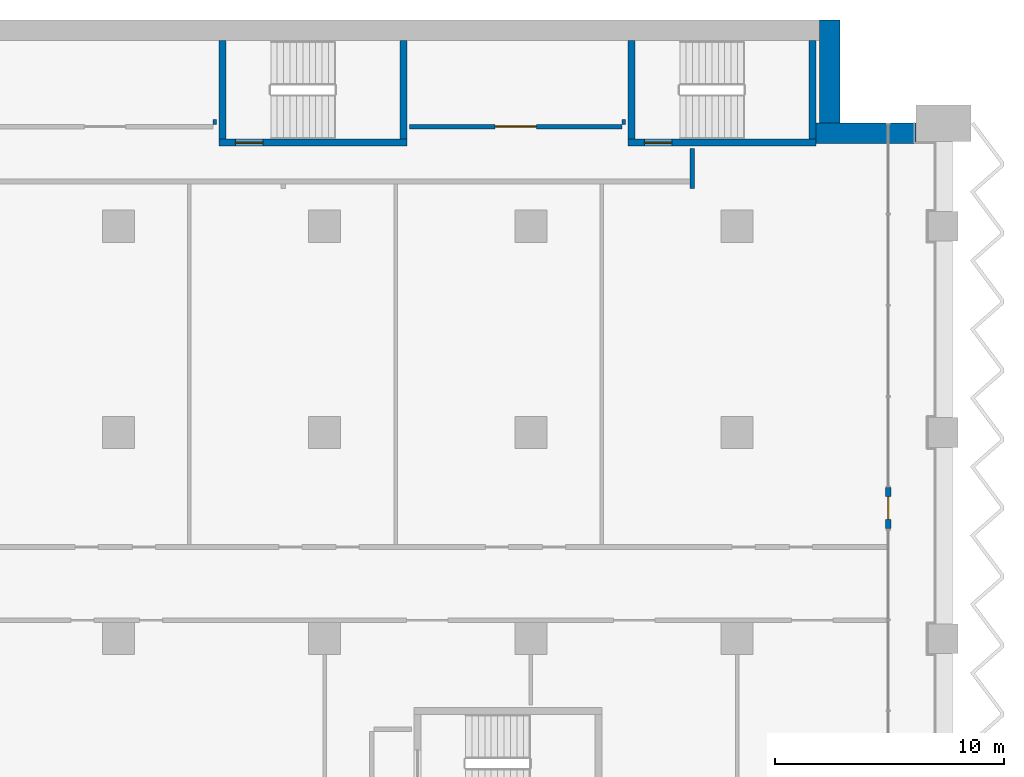
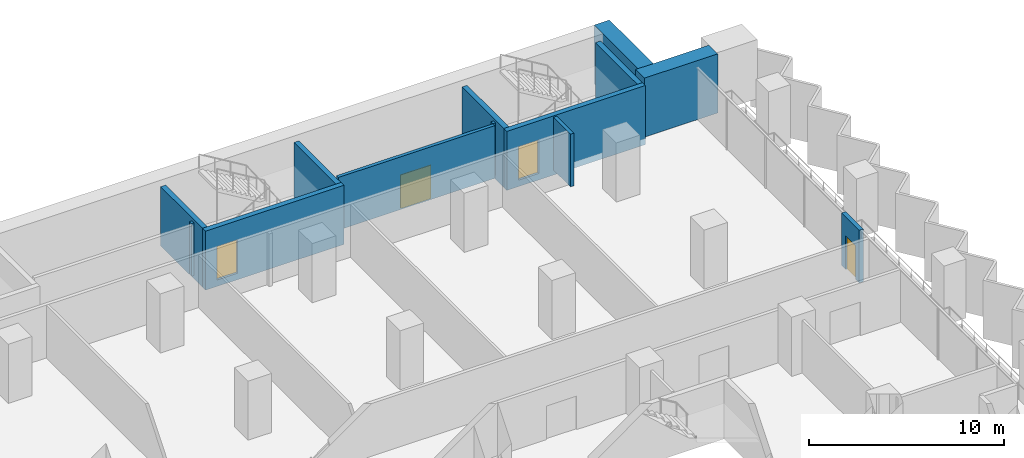
# One storey, part 19 of 29: 13 walls, 4 doors, 4 openings.
"""IFC4 building model written with IfcOpenShell, lengths in metres."""

from ifc_helpers import new_model, si_unit, direction, frame, frame_2d, origin, place, context, subcontext, project, spatial, rectangle, extrude, material, layer, layer_set, type_object, element, fill, save


model = new_model("IFC4")

# Units and contexts
model_context = context("Model", 3, precision=1e-05, world=origin(), true_north=direction((0.0, 1.0)))
body_context = subcontext(model_context, "Body", "Model", "MODEL_VIEW")
ifc_project = project(units=[si_unit("LENGTHUNIT", "METRE"), si_unit("AREAUNIT", "SQUARE_METRE"), si_unit("VOLUMEUNIT", "CUBIC_METRE"), si_unit("PLANEANGLEUNIT", "RADIAN"), si_unit("MASSUNIT", "GRAM", prefix="KILO")], contexts=[model_context])

# Site, building, storey
site_placement = place(None, origin())
site = spatial("IfcSite", under=ifc_project, at=site_placement, CompositionType="ELEMENT")
building_placement = place(site_placement, origin())
building = spatial("IfcBuilding", under=site, at=building_placement, Name="Hunhe Ridgeline Campus", CompositionType="ELEMENT")
storey_placement = place(building_placement, frame((0.0, 0.0, 50.60009765625)))
storey = spatial("IfcBuildingStorey", under=building, at=storey_placement, Name="L11", CompositionType="ELEMENT", Elevation=50.60009765625)

# Wall, opening, door
ifc_material_1 = material(Name="Gypsum board partition")
ifc_layer_1 = layer(ifc_material_1, 0.199951171875)
ifc_layer_set_1 = layer_set([ifc_layer_1], Name="Corridor partition 200 gypsum board on steel studs")
wall_type_1 = type_object("IfcWallType", Name="Corridor partition 200 gypsum board on steel studs", PredefinedType="PARTITIONING", material=ifc_layer_set_1)
wall_1_placement = place(storey_placement, frame((75.7041015625, 94.35009765625, 0.0), z_axis=(0.0, 0.0, 1.0), x_axis=(1.0, 0.0, 0.0)))
wall_1 = element("IfcWall", 1, at=wall_1_placement, inside=storey, type_object=wall_type_1, Name="F-L11-wall-054", PredefinedType="PARTITIONING", context=body_context, shape_type="SweptSolid", body=[
    extrude(rectangle(XDim=9.27099609375, YDim=0.199951171875, at=frame_2d((4.635498046875, 0.0))), origin(), (0.0, 0.0, 1.0), 3.2998046875),
])
opening_1_placement = place(wall_1_placement, frame((3.735595703125, 0.0, 0.0)))
opening_1 = element("IfcOpeningElement", 2, at=opening_1_placement, cuts=wall_1, Name="Opening RD2-049", PredefinedType="OPENING", context=body_context, shape_type="SweptSolid", body=[
    extrude(rectangle(XDim=1.800048828125, YDim=2.10009765625, at=frame_2d((0.89990234375, 1.050048828125))), frame((0.0, 0.10009765625, 0.0), z_axis=(0.0, -1.0, 0.0), x_axis=(1.0, 0.0, 0.0)), (0.0, 0.0, 1.0), 0.199951171875),
])
ifc_material_2 = material(Name="Timber door leaf", Category="wood")
door_type_1 = type_object("IfcDoorType", Name="Double fire door 1800x2100 timber FD60", OperationType="DOUBLE_DOOR_SINGLE_SWING", PredefinedType="DOOR", material=ifc_material_2)
door_1_placement = place(opening_1_placement, origin())
door_1 = element("IfcDoor", 3, at=door_1_placement, inside=storey, type_object=door_type_1, Name="F-L11-door-049", OperationType="DOUBLE_DOOR_SINGLE_SWING", OverallHeight=2.10009765625, OverallWidth=1.800048828125, PredefinedType="DOOR", context=body_context, shape_type="SweptSolid", body=[
    extrude(rectangle(XDim=1.800048828125, YDim=2.10009765625, at=frame_2d((0.89990234375, 1.050048828125))), frame((0.0, 0.02490234375, 0.0), z_axis=(0.0, -1.0, 0.0), x_axis=(1.0, 0.0, 0.0)), (0.0, 0.0, 1.0), 0.050048828125),
])
fill(opening_1, door_1)

# Wall
wall_2_placement = place(storey_placement, frame((88.050048828125, 93.39599609375, 0.0), z_axis=(0.0, 0.0, 1.0), x_axis=(0.0, -1.0, 0.0)))
element("IfcWall", 4, at=wall_2_placement, inside=storey, type_object=wall_type_1, Name="F-L11-wall-090", PredefinedType="PARTITIONING", context=body_context, shape_type="SweptSolid", body=[
    extrude(rectangle(XDim=1.74609375, YDim=0.199951171875, at=frame_2d((0.873046875, 0.0))), origin(), (0.0, 0.0, 1.0), 3.2998046875),
])

# Wall, opening, door
ifc_material_3 = material(Name="Concrete C30", Category="concrete")
ifc_layer_2 = layer(ifc_material_3, 0.25)
ifc_layer_set_2 = layer_set([ifc_layer_2], Name="Loggia door pier wall 250 Concrete C30")
wall_type_2 = type_object("IfcWallType", Name="Loggia door pier wall 250 Concrete C30", PredefinedType="SOLIDWALL", material=ifc_layer_set_2)
wall_3_placement = place(storey_placement, frame((96.59912109375, 76.800537109375, 0.0), z_axis=(0.0, 0.0, 1.0), x_axis=(0.0, 1.0, 0.0)))
wall_3 = element("IfcWall", 5, at=wall_3_placement, inside=storey, type_object=wall_type_2, Name="Loggia door pier 4", PredefinedType="SOLIDWALL", context=body_context, shape_type="SweptSolid", body=[
    extrude(rectangle(XDim=1.800048828125, YDim=0.25, at=frame_2d((0.89990234375, 0.0))), origin(), (0.0, 0.0, 1.0), 3.2998046875),
])
opening_2_placement = place(wall_3_placement, frame((0.39990234375, 0.0, 0.0)))
opening_2 = element("IfcOpeningElement", 6, at=opening_2_placement, cuts=wall_3, Name="Opening BD108", PredefinedType="OPENING", context=body_context, shape_type="SweptSolid", body=[
    extrude(rectangle(XDim=1.0, YDim=2.10009765625, at=frame_2d((0.5, 1.050048828125))), frame((0.0, 0.125, 0.0), z_axis=(0.0, -1.0, 0.0), x_axis=(1.0, 0.0, 0.0)), (0.0, 0.0, 1.0), 0.25),
])
ifc_material_4 = material(Name="Aluminium 6063", Category="aluminium")
door_type_2 = type_object("IfcDoorType", Name="Loggia glazed door 1000x2100", OperationType="NOTDEFINED", PredefinedType="DOOR", material=ifc_material_4)
door_2_placement = place(opening_2_placement, frame((1.0, 0.0, 0.0), z_axis=(0.0, 0.0, 1.0), x_axis=(-1.0, 0.0, 0.0)))
door_2 = element("IfcDoor", 7, at=door_2_placement, inside=storey, type_object=door_type_2, Name="Loggia door BD108", OperationType="SINGLE_SWING_LEFT", OverallHeight=2.10009765625, OverallWidth=1.0, PredefinedType="DOOR", context=body_context, shape_type="SweptSolid", body=[
    extrude(rectangle(XDim=1.0, YDim=2.10009765625, at=frame_2d((0.5, 1.050048828125))), frame((0.0, 0.02490234375, 0.0), z_axis=(0.0, -1.0, 0.0), x_axis=(1.0, 0.0, 0.0)), (0.0, 0.0, 1.0), 0.050048828125),
])
fill(opening_2, door_2)

# Walls
ifc_layer_3 = layer(ifc_material_1, 0.14990234375)
ifc_layer_set_3 = layer_set([ifc_layer_3], Name="Room partition 150 gypsum board on steel studs")
wall_type_3 = type_object("IfcWallType", Name="Room partition 150 gypsum board on steel studs", PredefinedType="PARTITIONING", material=ifc_layer_set_3)
for number, where, z_axis, x_axis, name in (
    (8, (67.199951171875, 94.64990234375, 0.0), (0.0, 0.0, 1.0), (0.0, -1.0, 0.0), "F-L11-wall-080"),
    (9, (85.050048828125, 94.64990234375, 0.0), (0.0, 0.0, 1.0), (0.0, -1.0, 0.0), "F-L11-wall-089"),
):
    element("IfcWall", number, at=place(storey_placement, frame(where, z_axis=z_axis, x_axis=x_axis)), inside=storey, type_object=wall_type_3, Name=name, PredefinedType="PARTITIONING", context=body_context, shape_type="SweptSolid", body=[
        extrude(rectangle(XDim=0.199951171875, YDim=0.14990234375, at=frame_2d((0.10009765625, 0.0))), origin(), (0.0, 0.0, 1.0), 3.2998046875),
    ])
ifc_material_5 = material(Name="Concrete C80", Category="concrete")
ifc_layer_4 = layer(ifc_material_5, 0.89990234375)
ifc_layer_set_4 = layer_set([ifc_layer_4], Name="Spine wall 900 Concrete C80")
wall_type_4 = type_object("IfcWallType", Name="Spine wall 900 Concrete C80", PredefinedType="SHEAR", material=ifc_layer_set_4)
wall_4_placement = place(storey_placement, frame((97.800048828125, 94.050048828125, 0.0), z_axis=(0.0, 0.0, 1.0), x_axis=(-1.0, 0.0, 0.0)))
element("IfcWall", 10, at=wall_4_placement, inside=storey, type_object=wall_type_4, Name="Spine wall SW1-2 L11", PredefinedType="SHEAR", context=body_context, shape_type="SweptSolid", body=[
    extrude(rectangle(XDim=4.3505859375, YDim=0.89990234375, at=frame_2d((2.17529296875, 0.0))), origin(), (0.0, 0.0, 1.0), 3.699951171875),
])
wall_5_placement = place(storey_placement, frame((94.050048828125, 93.60009765625, 0.0), z_axis=(0.0, 0.0, 1.0), x_axis=(0.0, 1.0, 0.0)))
element("IfcWall", 11, at=wall_5_placement, inside=storey, type_object=wall_type_4, Name="Spine wall SW1-3 L11", PredefinedType="SHEAR", context=body_context, shape_type="SweptSolid", body=[
    extrude(rectangle(XDim=5.39990234375, YDim=0.89990234375, at=frame_2d((2.699951171875, 0.0))), origin(), (0.0, 0.0, 1.0), 3.699951171875),
])

# Wall, opening, door
ifc_layer_5 = layer(ifc_material_5, 0.300048828125)
ifc_layer_set_5 = layer_set([ifc_layer_5], Name="Stair wall 300 reinforced concrete C80")
wall_type_5 = type_object("IfcWallType", Name="Stair wall 300 reinforced concrete C80", PredefinedType="SOLIDWALL", material=ifc_layer_set_5)
wall_6_placement = place(storey_placement, frame((67.39990234375, 93.64990234375, -0.400146484375), z_axis=(0.0, 0.0, 1.0), x_axis=(1.0, 0.0, 0.0)))
wall_6 = element("IfcWall", 12, at=wall_6_placement, inside=storey, type_object=wall_type_5, Name="L11 core wall 32", PredefinedType="SOLIDWALL", context=body_context, shape_type="SweptSolid", body=[
    extrude(rectangle(XDim=8.2001953125, YDim=0.300048828125, at=frame_2d((4.10009765625, 0.0))), origin(), (0.0, 0.0, 1.0), 3.699951171875),
])
opening_3_placement = place(wall_6_placement, frame((0.699951171875, 0.0, 0.39990234375)))
opening_3 = element("IfcOpeningElement", 13, at=opening_3_placement, cuts=wall_6, Name="Opening CD19", PredefinedType="OPENING", context=body_context, shape_type="SweptSolid", body=[
    extrude(rectangle(XDim=1.199951171875, YDim=2.10009765625, at=frame_2d((0.60009765625, 1.050048828125))), frame((0.0, 0.14990234375, 0.0), z_axis=(0.0, -1.0, 0.0), x_axis=(1.0, 0.0, 0.0)), (0.0, 0.0, 1.0), 0.300048828125),
])
ifc_material_6 = material(Name="Hollow metal fire door leaf")
door_type_3 = type_object("IfcDoorType", Name="Stair door 1200x2100 FD60", OperationType="SINGLE_SWING_LEFT", PredefinedType="DOOR", material=ifc_material_6)
door_3_placement = place(opening_3_placement, frame((1.199951171875, 0.0, 0.0), z_axis=(0.0, 0.0, 1.0), x_axis=(-1.0, 0.0, 0.0)))
door_3 = element("IfcDoor", 14, at=door_3_placement, inside=storey, type_object=door_type_3, Name="L11 door E3", OperationType="SINGLE_SWING_RIGHT", OverallHeight=2.10009765625, OverallWidth=1.199951171875, PredefinedType="DOOR", context=body_context, shape_type="SweptSolid", body=[
    extrude(rectangle(XDim=1.199951171875, YDim=2.10009765625, at=frame_2d((0.60009765625, 1.050048828125))), frame((0.0, 0.02490234375, 0.0), z_axis=(0.0, -1.0, 0.0), x_axis=(1.0, 0.0, 0.0)), (0.0, 0.0, 1.0), 0.050048828125),
])
fill(opening_3, door_3)

wall_7_placement = place(storey_placement, frame((85.25, 93.64990234375, -0.400146484375), z_axis=(0.0, 0.0, 1.0), x_axis=(1.0, 0.0, 0.0)))
wall_7 = element("IfcWall", 15, at=wall_7_placement, inside=storey, type_object=wall_type_5, Name="L11 core wall 33", PredefinedType="SOLIDWALL", context=body_context, shape_type="SweptSolid", body=[
    extrude(rectangle(XDim=8.199951171875, YDim=0.300048828125, at=frame_2d((4.10009765625, 0.0))), origin(), (0.0, 0.0, 1.0), 3.699951171875),
])
opening_4_placement = place(wall_7_placement, frame((0.699951171875, 0.0, 0.39990234375)))
opening_4 = element("IfcOpeningElement", 16, at=opening_4_placement, cuts=wall_7, Name="Opening CD20", PredefinedType="OPENING", context=body_context, shape_type="SweptSolid", body=[
    extrude(rectangle(XDim=1.199951171875, YDim=2.10009765625, at=frame_2d((0.60009765625, 1.050048828125))), frame((0.0, 0.14990234375, 0.0), z_axis=(0.0, -1.0, 0.0), x_axis=(1.0, 0.0, 0.0)), (0.0, 0.0, 1.0), 0.300048828125),
])
door_4_placement = place(opening_4_placement, frame((1.199951171875, 0.0, 0.0), z_axis=(0.0, 0.0, 1.0), x_axis=(-1.0, 0.0, 0.0)))
door_4 = element("IfcDoor", 17, at=door_4_placement, inside=storey, type_object=door_type_3, Name="L11 door E4", OperationType="SINGLE_SWING_LEFT", OverallHeight=2.10009765625, OverallWidth=1.199951171875, PredefinedType="DOOR", context=body_context, shape_type="SweptSolid", body=[
    extrude(rectangle(XDim=1.199951171875, YDim=2.10009765625, at=frame_2d((0.60009765625, 1.050048828125))), frame((0.0, 0.02490234375, 0.0), z_axis=(0.0, -1.0, 0.0), x_axis=(1.0, 0.0, 0.0)), (0.0, 0.0, 1.0), 0.050048828125),
])
fill(opening_4, door_4)

# Walls
for number, where, z_axis, x_axis, name in (
    (18, (67.550048828125, 93.800048828125, -0.400146484375), (0.0, 0.0, 1.0), (0.0, 1.0, 0.0), "L11 core wall 69"),
    (19, (75.449951171875, 93.800048828125, -0.400146484375), (0.0, 0.0, 1.0), (0.0, 1.0, 0.0), "L11 core wall 70"),
    (20, (85.39990234375, 93.800048828125, -0.400146484375), (0.0, 0.0, 1.0), (0.0, 1.0, 0.0), "L11 core wall 73"),
    (21, (93.300048828125, 93.800048828125, -0.400146484375), (0.0, 0.0, 1.0), (0.0, 1.0, 0.0), "L11 core wall 74"),
):
    element("IfcWall", number, at=place(storey_placement, frame(where, z_axis=z_axis, x_axis=x_axis)), inside=storey, type_object=wall_type_5, Name=name, PredefinedType="SOLIDWALL", context=body_context, shape_type="SweptSolid", body=[
        extrude(rectangle(XDim=4.300048828125, YDim=0.300048828125, at=frame_2d((2.14990234375, 0.0))), origin(), (0.0, 0.0, 1.0), 3.699951171875),
    ])

save(model, "model.ifc")
